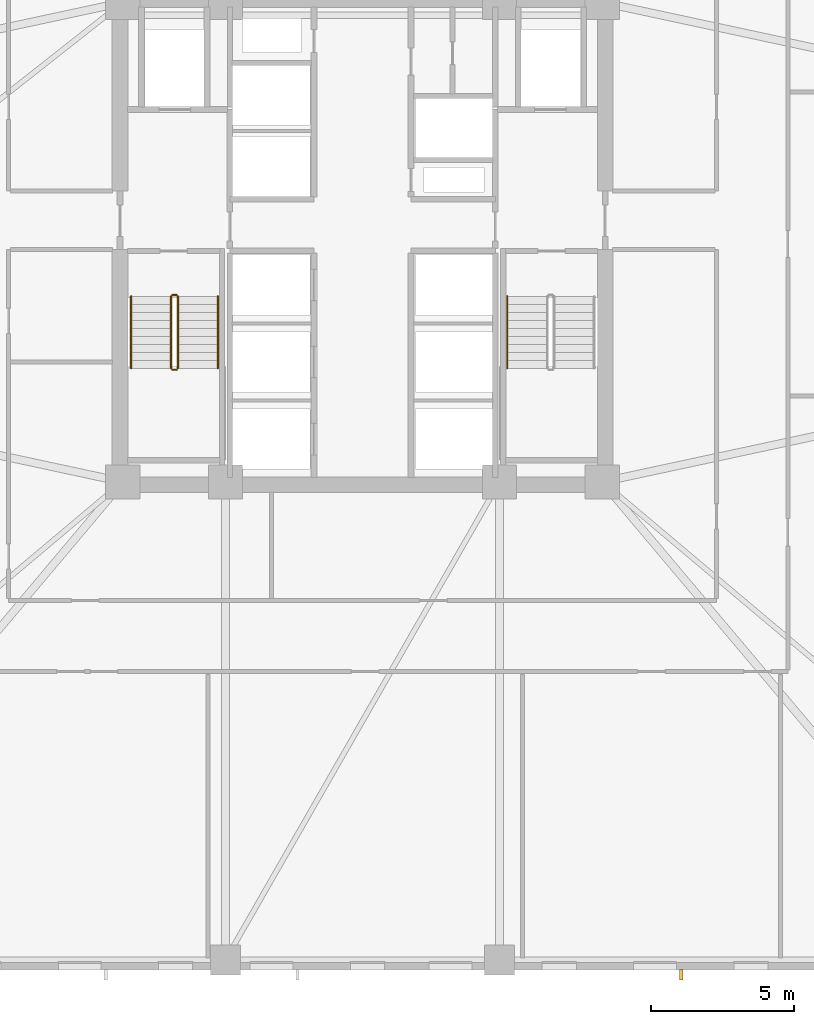
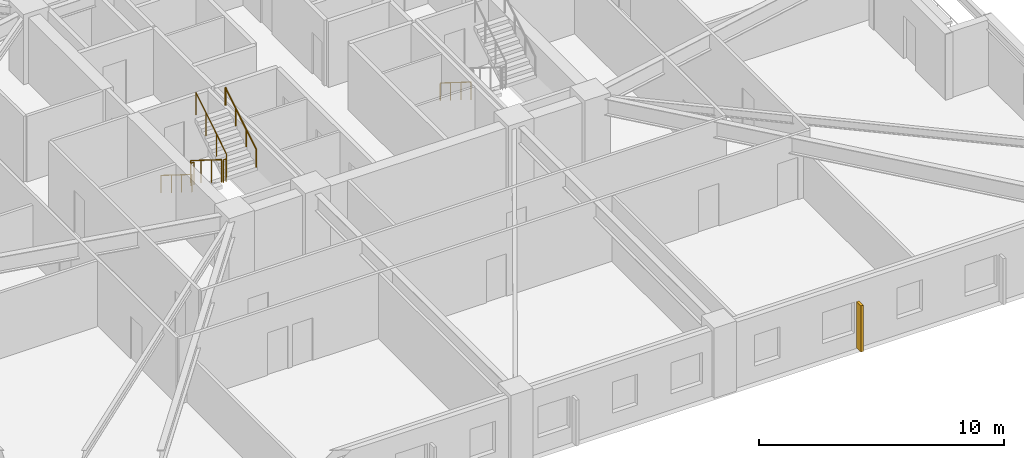
# One storey, part 8 of 11: 7 railings, 1 shading device.
"""IFC4 building model written with IfcOpenShell, lengths in metres."""

from ifc_helpers import new_model, si_unit, direction, frame, origin, origin_2d, place, context, subcontext, project, spatial, rectangle, circle, extrude, material, type_object, element, save


model = new_model("IFC4")

# Units and contexts
model_context = context("Model", 3, precision=1e-05, world=origin(), true_north=direction((0.0, 1.0)))
body_context = subcontext(model_context, "Body", "Model", "MODEL_VIEW")
ifc_project = project(units=[si_unit("LENGTHUNIT", "METRE"), si_unit("AREAUNIT", "SQUARE_METRE"), si_unit("VOLUMEUNIT", "CUBIC_METRE"), si_unit("PLANEANGLEUNIT", "RADIAN"), si_unit("MASSUNIT", "GRAM", prefix="KILO")], contexts=[model_context])

# Site, building, storey
site_placement = place(None, origin())
site = spatial("IfcSite", under=ifc_project, at=site_placement, CompositionType="ELEMENT")
building_placement = place(site_placement, origin())
building = spatial("IfcBuilding", under=site, at=building_placement, Name="Cairnveth Concourse Tower", CompositionType="ELEMENT")
storey_placement = place(building_placement, frame((0.0, 0.0, 58.5)))
storey = spatial("IfcBuildingStorey", under=building, at=storey_placement, Name="L15", CompositionType="ELEMENT", Elevation=58.5)

# Shading device
ifc_material_1 = material(Name="Architectural Bronze Anodised Aluminium 6063-T6", Category="aluminium")
shading_device_type = type_object("IfcShadingDeviceType", Name="GOTHIC BRONZE VERTICAL LANCET FIN", PredefinedType="USERDEFINED", material=ifc_material_1)
shading_device_placement = place(storey_placement, frame((63.159423828125, 13.324951171875, 0.02978515625), z_axis=(0.0, 0.0, 1.0), x_axis=(1.0, 0.0, 0.0)))
element("IfcShadingDevice", 1, at=shading_device_placement, inside=storey, type_object=shading_device_type, Name="Gothic Bronze Vertical Fin L15-3-3", ObjectType="VERTICAL FIN", PredefinedType="USERDEFINED", context=body_context, shape_type="SweptSolid", body=[
    extrude(rectangle(XDim=0.1201171875, YDim=0.360107421875, at=origin_2d()), origin(), (0.0, 0.0, 1.0), 2.303955078125),
])

# Railings
ifc_material_2 = material(Name="Steel Grade 350", Category="steel")
railing_type_1 = type_object("IfcRailingType", Name="STAIR GUARDRAIL 1150", PredefinedType="GUARDRAIL", material=ifc_material_2)
railing_1_placement = place(storey_placement, frame((45.2900390625, 37.10009765625, 0.175048828125)))
element("IfcRailing", 2, at=railing_1_placement, inside=storey, type_object=railing_type_1, Name="L15 ST-1 stair guard 1", PredefinedType="GUARDRAIL", context=body_context, shape_type="SweptSolid", body=[
    extrude(circle(Radius=0.02392578125, at=origin_2d()), frame((0.0, 0.0, 1.1259765625), z_axis=(0.0, -0.848007534815, 0.529984170421), x_axis=(1.0, 0.0, 0.0)), (0.0, 0.0, 1.0), 2.9716796875),
    extrude(circle(Radius=0.02099609375, at=origin_2d()), origin(), (0.0, 0.0, 1.0), 1.101806640625),
    extrude(circle(Radius=0.02099609375, at=origin_2d()), frame((0.0, -0.840087890625, 0.52490234375)), (0.0, 0.0, 1.0), 1.101806640625),
    extrude(circle(Radius=0.02099609375, at=origin_2d()), frame((0.0, -1.679931640625, 1.050048828125)), (0.0, 0.0, 1.0), 1.101806640625),
    extrude(circle(Radius=0.02099609375, at=origin_2d()), frame((0.0, -2.52001953125, 1.574951171875)), (0.0, 0.0, 1.0), 1.101806640625),
])
railing_2_placement = place(storey_placement, frame((45.340087890625, 34.530029296875, 1.75)))
element("IfcRailing", 3, at=railing_2_placement, inside=storey, type_object=railing_type_1, Name="L15 ST-1 stair guard 2", PredefinedType="GUARDRAIL", context=body_context, shape_type="SweptSolid", body=[
    extrude(circle(Radius=0.02392578125, at=origin_2d()), frame((0.0, 0.0, 1.1259765625), z_axis=(1.0, 0.0, 0.0), x_axis=(0.0, 1.0, 0.0)), (0.0, 0.0, 1.0), 0.139892578125),
    extrude(circle(Radius=0.02099609375, at=origin_2d()), origin(), (0.0, 0.0, 1.0), 1.101806640625),
    extrude(circle(Radius=0.02099609375, at=origin_2d()), frame((0.139892578125, 0.0, 0.0)), (0.0, 0.0, 1.0), 1.101806640625),
])
railing_3_placement = place(storey_placement, frame((45.530029296875, 34.580078125, 1.925048828125)))
element("IfcRailing", 4, at=railing_3_placement, inside=storey, type_object=railing_type_1, Name="L15 ST-1 stair guard 3", PredefinedType="GUARDRAIL", context=body_context, shape_type="SweptSolid", body=[
    extrude(circle(Radius=0.02392578125, at=origin_2d()), frame((0.0, 0.0, 1.1259765625), z_axis=(0.0, 0.848007534815, 0.529984170421), x_axis=(-1.0, 0.0, 0.0)), (0.0, 0.0, 1.0), 2.9716796875),
    extrude(circle(Radius=0.02099609375, at=origin_2d()), origin(), (0.0, 0.0, 1.0), 1.101806640625),
    extrude(circle(Radius=0.02099609375, at=origin_2d()), frame((0.0, 0.840087890625, 0.52490234375)), (0.0, 0.0, 1.0), 1.101806640625),
    extrude(circle(Radius=0.02099609375, at=origin_2d()), frame((0.0, 1.679931640625, 1.050048828125)), (0.0, 0.0, 1.0), 1.101806640625),
    extrude(circle(Radius=0.02099609375, at=origin_2d()), frame((0.0, 2.52001953125, 1.574951171875)), (0.0, 0.0, 1.0), 1.101806640625),
])
railing_4_placement = place(storey_placement, frame((45.340087890625, 37.14990234375, 0.0)))
element("IfcRailing", 5, at=railing_4_placement, inside=storey, type_object=railing_type_1, Name="L15 ST-1 stair guard 4", PredefinedType="GUARDRAIL", context=body_context, shape_type="SweptSolid", body=[
    extrude(circle(Radius=0.02392578125, at=origin_2d()), frame((0.0, 0.0, 1.1259765625), z_axis=(1.0, 0.0, 0.0), x_axis=(0.0, 1.0, 0.0)), (0.0, 0.0, 1.0), 0.139892578125),
    extrude(circle(Radius=0.02099609375, at=origin_2d()), origin(), (0.0, 0.0, 1.0), 1.101806640625),
    extrude(circle(Radius=0.02099609375, at=origin_2d()), frame((0.139892578125, 0.0, 0.0)), (0.0, 0.0, 1.0), 1.101806640625),
])
railing_type_2 = type_object("IfcRailingType", Name="STAIR WALL HANDRAIL 900", PredefinedType="HANDRAIL", material=ifc_material_2)
railing_5_placement = place(storey_placement, frame((43.889892578125, 37.10009765625, 0.175048828125)))
element("IfcRailing", 6, at=railing_5_placement, inside=storey, type_object=railing_type_2, Name="L15 ST-1 stair handrail 1", PredefinedType="HANDRAIL", context=body_context, shape_type="SweptSolid", body=[
    extrude(circle(Radius=0.02392578125, at=origin_2d()), frame((0.0, 0.0, 0.8759765625), z_axis=(0.0, -0.848007534815, 0.529984170421), x_axis=(1.0, 0.0, 0.0)), (0.0, 0.0, 1.0), 2.9716796875),
    extrude(circle(Radius=0.02099609375, at=origin_2d()), origin(), (0.0, 0.0, 1.0), 0.851806640625),
    extrude(circle(Radius=0.02099609375, at=origin_2d()), frame((0.0, -0.840087890625, 0.52490234375)), (0.0, 0.0, 1.0), 0.851806640625),
    extrude(circle(Radius=0.02099609375, at=origin_2d()), frame((0.0, -1.679931640625, 1.050048828125)), (0.0, 0.0, 1.0), 0.851806640625),
    extrude(circle(Radius=0.02099609375, at=origin_2d()), frame((0.0, -2.52001953125, 1.574951171875)), (0.0, 0.0, 1.0), 0.851806640625),
])
railing_6_placement = place(storey_placement, frame((46.929931640625, 34.580078125, 1.925048828125)))
element("IfcRailing", 7, at=railing_6_placement, inside=storey, type_object=railing_type_2, Name="L15 ST-1 stair handrail 2", PredefinedType="HANDRAIL", context=body_context, shape_type="SweptSolid", body=[
    extrude(circle(Radius=0.02392578125, at=origin_2d()), frame((0.0, 0.0, 0.8759765625), z_axis=(0.0, 0.848007534815, 0.529984170421), x_axis=(-1.0, 0.0, 0.0)), (0.0, 0.0, 1.0), 2.9716796875),
    extrude(circle(Radius=0.02099609375, at=origin_2d()), origin(), (0.0, 0.0, 1.0), 0.851806640625),
    extrude(circle(Radius=0.02099609375, at=origin_2d()), frame((0.0, 0.840087890625, 0.52490234375)), (0.0, 0.0, 1.0), 0.851806640625),
    extrude(circle(Radius=0.02099609375, at=origin_2d()), frame((0.0, 1.679931640625, 1.050048828125)), (0.0, 0.0, 1.0), 0.851806640625),
    extrude(circle(Radius=0.02099609375, at=origin_2d()), frame((0.0, 2.52001953125, 1.574951171875)), (0.0, 0.0, 1.0), 0.851806640625),
])
railing_7_placement = place(storey_placement, frame((57.070068359375, 37.10009765625, 0.175048828125)))
element("IfcRailing", 8, at=railing_7_placement, inside=storey, type_object=railing_type_2, Name="L15 ST-2 stair handrail 1", PredefinedType="HANDRAIL", context=body_context, shape_type="SweptSolid", body=[
    extrude(circle(Radius=0.02392578125, at=origin_2d()), frame((0.0, 0.0, 0.8759765625), z_axis=(0.0, -0.848007534815, 0.529984170421), x_axis=(1.0, 0.0, 0.0)), (0.0, 0.0, 1.0), 2.9716796875),
    extrude(circle(Radius=0.02099609375, at=origin_2d()), origin(), (0.0, 0.0, 1.0), 0.851806640625),
    extrude(circle(Radius=0.02099609375, at=origin_2d()), frame((0.0, -0.840087890625, 0.52490234375)), (0.0, 0.0, 1.0), 0.851806640625),
    extrude(circle(Radius=0.02099609375, at=origin_2d()), frame((0.0, -1.679931640625, 1.050048828125)), (0.0, 0.0, 1.0), 0.851806640625),
    extrude(circle(Radius=0.02099609375, at=origin_2d()), frame((0.0, -2.52001953125, 1.574951171875)), (0.0, 0.0, 1.0), 0.851806640625),
])

save(model, "model.ifc")
